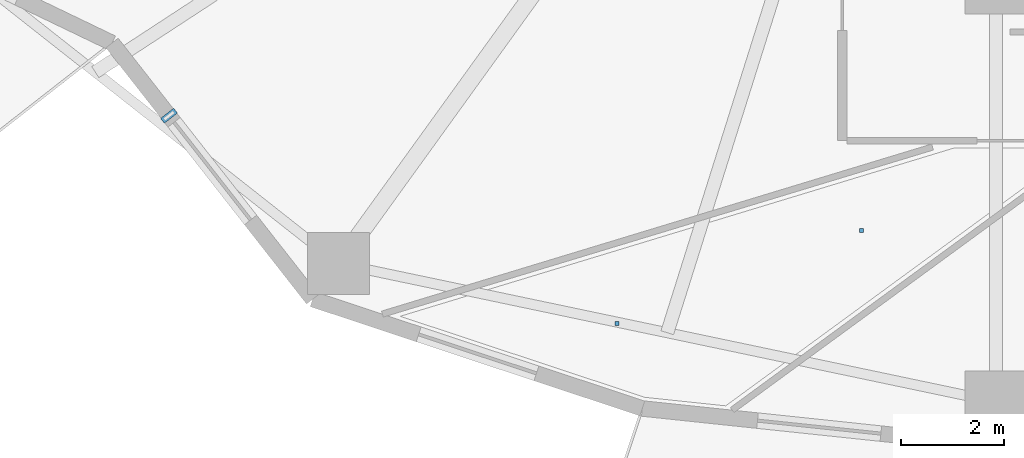
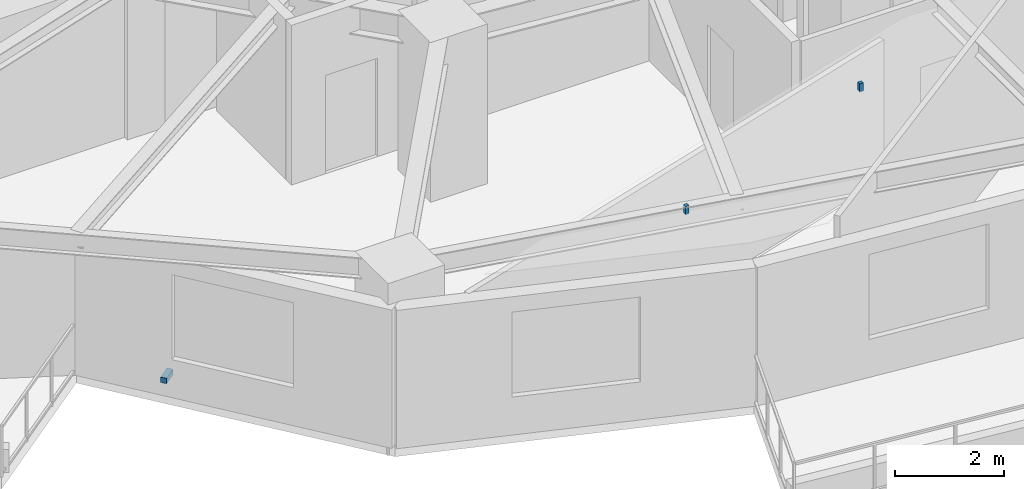
# One storey, part 8 of 16: 3 discrete accessories.
"""IFC4 building model written with IfcOpenShell, lengths in metres."""

import ifcopenshell
import ifcopenshell.guid

model = None  # the IFC model being written
_history = None  # IfcOwnerHistory: only IFC2X3 demands one
_inside = {}  # id of a spatial element -> (the spatial element, [elements in it])
_under = {}  # id of a project, library or spatial element -> (it, [spatial elements below it])
_declared = {}  # id of a project -> (the project, [libraries it declares])
_typed = {}  # id of a type object -> (the type object, [elements of that type])
_made_of = {}  # id of a material, layer set ... -> (it, [elements and type objects made of it])


def new_model(schema):
    """Start an empty IFC model of exactly this schema.

    Asked for "IFC4X3", IfcOpenShell would pick the latest addendum, in which some entities
    have other attributes; the version numbers below select the first issue.
    IFC2X3 requires an IfcOwnerHistory on every rooted entity: one is made here for all.
    """
    global model, _history
    if schema == "IFC4X3":
        model = ifcopenshell.file(schema_version=(4, 3, 0, 0))
    else:
        model = ifcopenshell.file(schema=schema)
    _inside.clear()
    _under.clear()
    _declared.clear()
    _typed.clear()
    _made_of.clear()
    _history = None
    if model.schema == "IFC2X3":
        org = make("IfcOrganization", Name="unknown")
        user = make(
            "IfcPersonAndOrganization",
            ThePerson=make("IfcPerson", FamilyName="unknown"),
            TheOrganization=org,
        )
        app = make(
            "IfcApplication",
            ApplicationDeveloper=org,
            Version="unknown",
            ApplicationFullName="unknown",
            ApplicationIdentifier="unknown",
        )
        _history = make(
            "IfcOwnerHistory",
            OwningUser=user,
            OwningApplication=app,
            ChangeAction="ADDED",
            CreationDate=0,
        )
    return model


def make(cls, **values):
    """One entity of the class cls with the attributes given. An attribute that is None is left unset."""
    return model.create_entity(
        cls, **{name: value for name, value in values.items() if value is not None}
    )


def rooted(cls, **values):
    """An entity with a GlobalId (a new one), such as an element, a storey or a relation."""
    return make(cls, GlobalId=ifcopenshell.guid.new(), OwnerHistory=_history, **values)


def si_unit(unit_type, name, prefix=None):
    """IfcSIUnit, for example si_unit("LENGTHUNIT", "METRE", prefix="MILLI")."""
    return make("IfcSIUnit", UnitType=unit_type, Prefix=prefix, Name=name)


def assignment(units):
    """IfcUnitAssignment: the units of a project."""
    return None if units is None else make("IfcUnitAssignment", Units=units)


def point(xyz):
    """IfcCartesianPoint."""
    return None if xyz is None else make("IfcCartesianPoint", Coordinates=xyz)


def direction(xyz):
    """IfcDirection."""
    return None if xyz is None else make("IfcDirection", DirectionRatios=xyz)


def frame(location, z_axis=None, x_axis=None):
    """IfcAxis2Placement3D, a coordinate frame: its origin and axes. An axis left out is left unset."""
    return make(
        "IfcAxis2Placement3D",
        Location=point(location),
        Axis=direction(z_axis),
        RefDirection=direction(x_axis),
    )


def frame_2d(location, x_axis=None):
    """IfcAxis2Placement2D, a coordinate frame in the plane: its origin and x axis."""
    return make(
        "IfcAxis2Placement2D", Location=point(location), RefDirection=direction(x_axis)
    )


def origin():
    """The frame at (0, 0, 0) with its axes left unset."""
    return frame((0.0, 0.0, 0.0))


def origin_2d():
    """The frame at (0, 0) in the plane with its x axis left unset."""
    return frame_2d((0.0, 0.0))


def place(relative_to, where):
    """IfcLocalPlacement: puts the frame where relative to a parent placement (None: the world)."""
    return make(
        "IfcLocalPlacement", PlacementRelTo=relative_to, RelativePlacement=where
    )


def context(
    kind, dimensions, precision=None, world=None, true_north=None, identifier=None
):
    """IfcGeometricRepresentationContext, for example the 3D "Model" context."""
    return make(
        "IfcGeometricRepresentationContext",
        ContextIdentifier=identifier,
        ContextType=kind,
        CoordinateSpaceDimension=dimensions,
        Precision=precision,
        WorldCoordinateSystem=world,
        TrueNorth=true_north,
    )


def subcontext(parent, identifier, kind, view, scale=None):
    """IfcGeometricRepresentationSubContext, for example "Body" below "Model"."""
    return make(
        "IfcGeometricRepresentationSubContext",
        ContextIdentifier=identifier,
        ContextType=kind,
        ParentContext=parent,
        TargetScale=scale,
        TargetView=view,
    )


def project(units=None, contexts=None):
    """IfcProject with its units and contexts."""
    return rooted(
        "IfcProject",
        Name="project",
        RepresentationContexts=contexts,
        UnitsInContext=assignment(units),
    )


def spatial(cls, under=None, at=None, **own):
    """A site, building, storey or space (cls), placed at a placement, below another one or the project."""
    s = rooted(cls, ObjectPlacement=at, **own)
    if under is not None:
        _under.setdefault(under.id(), (under, []))[1].append(s)
    return s


def profile(cls, at=None, kind="AREA", **sizes):
    """A parametric profile (cls). Its sizes go by their IFC names, for example OverallWidth=200.0."""
    return make(cls, ProfileType=kind, Position=at, **sizes)


def rectangle(**sizes):
    """IfcRectangleProfileDef."""
    return profile("IfcRectangleProfileDef", **sizes)


def extrude(swept, where, along, depth):
    """IfcExtrudedAreaSolid: the profile swept, set in the frame where, extruded along a direction by depth."""
    return make(
        "IfcExtrudedAreaSolid",
        SweptArea=swept,
        Position=where,
        ExtrudedDirection=direction(along),
        Depth=depth,
    )


def shape(context_of_items, identifier, shape_type, items):
    """IfcShapeRepresentation: the items that make up one representation, for example the "Body"."""
    return make(
        "IfcShapeRepresentation",
        ContextOfItems=context_of_items,
        RepresentationIdentifier=identifier,
        RepresentationType=shape_type,
        Items=items,
    )


def material(Name=None, Category=None):
    """IfcMaterial."""
    return make("IfcMaterial", Name=Name, Category=Category)


def made_of(thing, what):
    """Note that an element or type object is made of a material, layer set ...; save() writes the relation."""
    if what is not None:
        _made_of.setdefault(what.id(), (what, []))[1].append(thing)
    return thing


def type_object(cls, material=None, **own):
    """A type object (cls), such as IfcWallType, which elements share."""
    return made_of(rooted(cls, **own), material)


def element(
    cls,
    number,
    at=None,
    inside=None,
    cuts=None,
    type_object=None,
    material=None,
    context=None,
    identifier="Body",
    shape_type=None,
    held_by="IfcProductDefinitionShape",
    body=None,
    shapes=None,
    **own,
):
    """One element of the class cls, such as IfcWall. Its Tag is "e" and its number.

    at: its placement. inside: the storey or other place that contains it. cuts: it is an
    opening in that element (IfcRelVoidsElement). A single representation is given by context,
    identifier, shape_type and body (its items); several are given by shapes. held_by: the class
    of the entity that holds the representations. save() writes the other relations.
    """
    e = rooted(cls, Tag="e%d" % number, ObjectPlacement=at, **own)
    if body is not None:
        shapes = [shape(context, identifier, shape_type, body)]
    if shapes is not None:
        e.Representation = make(held_by, Representations=shapes)
    if inside is not None:
        _inside.setdefault(inside.id(), (inside, []))[1].append(e)
    if cuts is not None:
        rooted(
            "IfcRelVoidsElement", RelatingBuildingElement=cuts, RelatedOpeningElement=e
        )
    if type_object is not None:
        _typed.setdefault(type_object.id(), (type_object, []))[1].append(e)
    return made_of(e, material)


def aggregate(whole, parts):
    """IfcRelAggregates: a whole, such as a stair, and the parts it consists of."""
    return rooted("IfcRelAggregates", RelatingObject=whole, RelatedObjects=parts)


def save(model, path):
    """Write the relations noted so far, then the file.

    IfcRelAggregates (storeys below a building ...), IfcRelContainedInSpatialStructure (elements
    in a storey), IfcRelDefinesByType, IfcRelAssociatesMaterial and IfcRelDeclares: one each for
    every whole, place, type object, material and project.
    """
    for whole, parts in _under.values():
        aggregate(whole, parts)
    for where, things in _inside.values():
        rooted(
            "IfcRelContainedInSpatialStructure",
            RelatedElements=things,
            RelatingStructure=where,
        )
    for kind, things in _typed.values():
        rooted("IfcRelDefinesByType", RelatedObjects=things, RelatingType=kind)
    for what, things in _made_of.values():
        rooted("IfcRelAssociatesMaterial", RelatedObjects=things, RelatingMaterial=what)
    for by, libraries in _declared.values():
        rooted("IfcRelDeclares", RelatingContext=by, RelatedDefinitions=libraries)
    model.write(path)


model = new_model("IFC4")

# Units and contexts
model_context = context("Model", 3, precision=1e-05, world=origin(), true_north=direction((0.0, 1.0)))
body_context = subcontext(model_context, "Body", "Model", "MODEL_VIEW")
ifc_project = project(units=[si_unit("LENGTHUNIT", "METRE"), si_unit("AREAUNIT", "SQUARE_METRE"), si_unit("VOLUMEUNIT", "CUBIC_METRE"), si_unit("PLANEANGLEUNIT", "RADIAN"), si_unit("MASSUNIT", "GRAM", prefix="KILO")], contexts=[model_context])

# Site, building, storey
site_placement = place(None, origin())
site = spatial("IfcSite", under=ifc_project, at=site_placement, CompositionType="ELEMENT")
building_placement = place(site_placement, origin())
building = spatial("IfcBuilding", under=site, at=building_placement, Name="Kolvaren Gate Tower and Convention Centre", CompositionType="ELEMENT")
storey_placement = place(building_placement, frame((0.0, 0.0, 65.0)))
storey = spatial("IfcBuildingStorey", under=building, at=storey_placement, Name="L15", CompositionType="ELEMENT", Elevation=65.0)

# Discrete accessories
ifc_material_1 = material(Name="Anodized Architectural Aluminium Alloy 6063-T6", Category="aluminium")
discrete_accessory_type_1 = type_object("IfcDiscreteAccessoryType", Name="ARCH-ACC-BRACKET-120", PredefinedType="BRACKET", material=ifc_material_1)
discrete_accessory_placement = place(storey_placement, frame((14.127685546875, 12.23291015625, 0.2900390625), z_axis=(0.0, 0.0, 1.0), x_axis=(0.616431370541, -0.787408639407, 0.0)))
element("IfcDiscreteAccessory", 1, at=discrete_accessory_placement, inside=storey, type_object=discrete_accessory_type_1, Name="Ceramic Fin Wall Anchor Bracket FBK-L15-15", PredefinedType="BRACKET", context=body_context, shape_type="SweptSolid", body=[
    extrude(rectangle(XDim=0.1201171875, YDim=0.320068359375, at=origin_2d()), origin(), (0.0, 0.0, 1.0), 0.1201171875),
])
ifc_material_2 = material(Name="Brushed Stainless Steel Grade 316L", Category="steel")
discrete_accessory_type_2 = type_object("IfcDiscreteAccessoryType", Name="ARCH-ACC-HANGER-80", PredefinedType="BRACKET", material=ifc_material_2)
for number, where, z_axis, x_axis, name in (
    (2, (22.7958984375, 8.218017578125, 3.39013671875), (0.0, 0.0, 1.0), (1.0, 0.0, 0.0), "Legal Chambers Cellular Office Ceiling Suspension Hanger Clip 1"),
    (3, (27.51904296875, 10.013916015625, 3.39013671875), (0.0, 0.0, 1.0), (1.0, 0.0, 0.0), "Legal Chambers Cellular Office Ceiling Suspension Hanger Clip 2"),
):
    element("IfcDiscreteAccessory", number, at=place(storey_placement, frame(where, z_axis=z_axis, x_axis=x_axis)), inside=storey, type_object=discrete_accessory_type_2, Name=name, PredefinedType="BRACKET", context=body_context, shape_type="SweptSolid", body=[
        extrude(rectangle(XDim=0.080078125, YDim=0.080078125, at=origin_2d()), origin(), (0.0, 0.0, 1.0), 0.179931640625),
    ])

save(model, "model.ifc")
